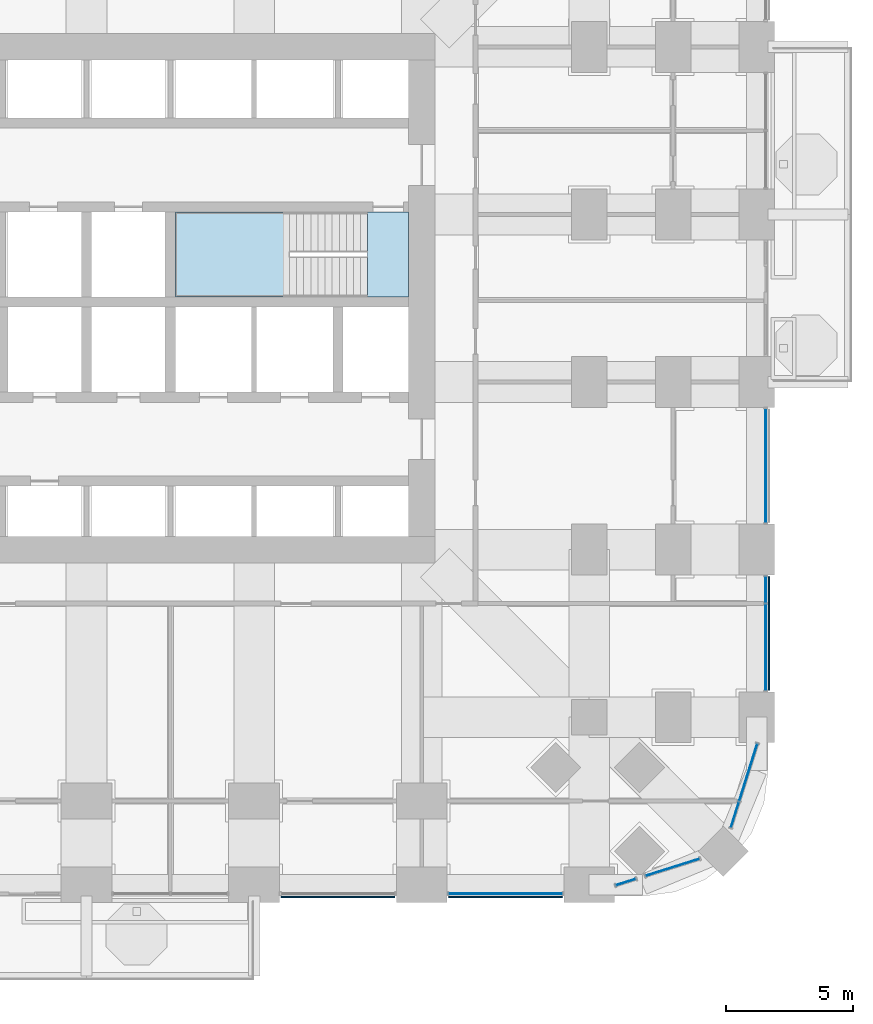
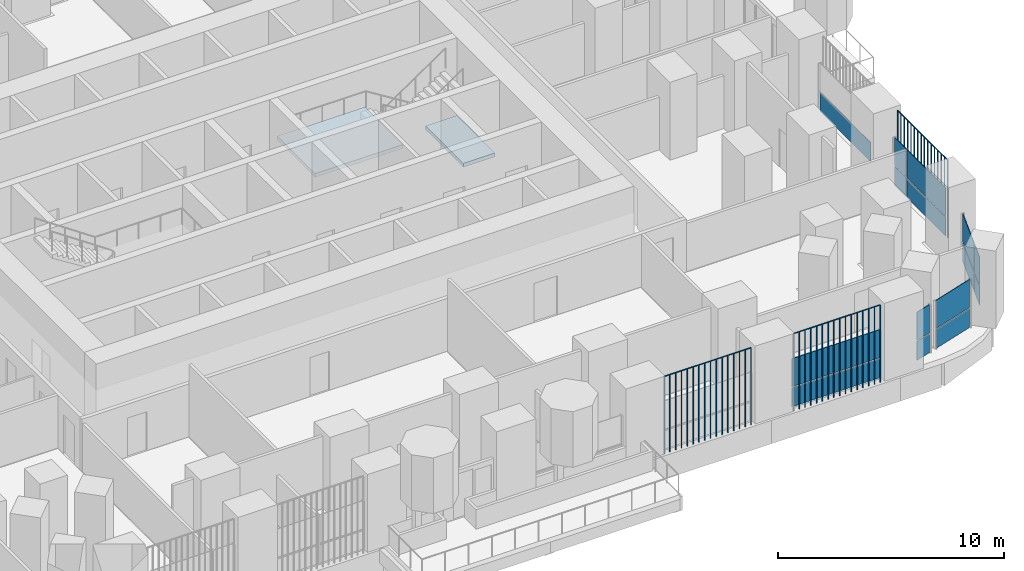
# One storey, part 12 of 25: 18 plates, 2 slabs, 7 elements without a shape of their own.
"""IFC4 building model written with IfcOpenShell, lengths in metres."""

from ifc_helpers import new_model, si_unit, direction, frame, origin, origin_2d, place, context, subcontext, project, spatial, polyline, rectangle, outline, extrude, material, layer, layer_set, type_object, element, aggregate, save


model = new_model("IFC4")

# Units and contexts
model_context = context("Model", 3, precision=1e-05, world=origin(), true_north=direction((0.0, 1.0)))
body_context = subcontext(model_context, "Body", "Model", "MODEL_VIEW")
ifc_project = project(units=[si_unit("LENGTHUNIT", "METRE"), si_unit("AREAUNIT", "SQUARE_METRE"), si_unit("VOLUMEUNIT", "CUBIC_METRE"), si_unit("PLANEANGLEUNIT", "RADIAN"), si_unit("MASSUNIT", "GRAM", prefix="KILO")], contexts=[model_context])

# Site, building, storey
site_placement = place(None, origin())
site = spatial("IfcSite", under=ifc_project, at=site_placement, CompositionType="ELEMENT")
building_placement = place(site_placement, origin())
building = spatial("IfcBuilding", under=site, at=building_placement, Name="Cobogo Forest Laboratory Tower", CompositionType="ELEMENT")
storey_placement = place(building_placement, frame((0.0, 0.0, 67.5)))
storey = spatial("IfcBuildingStorey", under=building, at=storey_placement, Name="L15", CompositionType="ELEMENT", Elevation=67.5)

# Curtain wall, plates
ifc_material_1 = material(Name="Aluminium curtain wall", Category="aluminium")
curtain_wall_type = type_object("IfcCurtainWallType", Name="CW-1 unitised curtain wall, clear glazing, laboratory floors zones A and B", PredefinedType="USERDEFINED", material=ifc_material_1)
curtain_wall_1_placement = place(storey_placement, origin())
curtain_wall_1 = element("IfcCurtainWall", 1, at=curtain_wall_1_placement, inside=storey, type_object=curtain_wall_type, Name="Curtain wall 06 L15", ObjectType="UNITISED CURTAIN WALL", PredefinedType="USERDEFINED")
ifc_material_2 = material(Name="Clear insulated glass", Category="glass")
ifc_layer_1 = layer(ifc_material_2, 0.028076171875)
ifc_layer_set_1 = layer_set([ifc_layer_1], Name="GP-1 clear insulated glass unit 28")
plate_type_1 = type_object("IfcPlateType", Name="GP-1 clear insulated glass unit 28", PredefinedType="CURTAIN_PANEL", material=ifc_layer_set_1)
plate_1_placement = place(storey_placement, frame((42.89990234375, -0.35009765625, 0.0), z_axis=(0.0, 0.0, 1.0), x_axis=(1.0, 0.0, 0.0)))
plate_1 = element("IfcPlate", 2, at=plate_1_placement, type_object=plate_type_1, Name="CW-1 panel 1.1", PredefinedType="CURTAIN_PANEL", context=body_context, shape_type="SweptSolid", body=[
    extrude(rectangle(XDim=4.47998046875, YDim=0.028076171875, at=origin_2d()), origin(), (0.0, 0.0, 1.0), 1.02001953125),
])
plate_2_placement = place(storey_placement, frame((42.89990234375, -0.35009765625, 1.080078125), z_axis=(0.0, 0.0, 1.0), x_axis=(1.0, 0.0, 0.0)))
plate_2 = element("IfcPlate", 3, at=plate_2_placement, type_object=plate_type_1, Name="CW-1 panel 1.2", PredefinedType="CURTAIN_PANEL", context=body_context, shape_type="SweptSolid", body=[
    extrude(rectangle(XDim=4.47998046875, YDim=0.028076171875, at=origin_2d()), origin(), (0.0, 0.0, 1.0), 1.52001953125),
])
aggregate(curtain_wall_1, [plate_1, plate_2])

curtain_wall_2_placement = place(storey_placement, origin())
curtain_wall_2 = element("IfcCurtainWall", 4, at=curtain_wall_2_placement, inside=storey, type_object=curtain_wall_type, Name="Curtain wall 07 L15", ObjectType="UNITISED CURTAIN WALL", PredefinedType="USERDEFINED")
plate_3_placement = place(storey_placement, frame((47.640869140625, 0.10498046875, 0.0), z_axis=(0.0, 0.0, 1.0), x_axis=(0.953581406818, 0.301135352577, 0.0)))
plate_3 = element("IfcPlate", 5, at=plate_3_placement, type_object=plate_type_1, Name="CW-1 panel 1.1", PredefinedType="CURTAIN_PANEL", context=body_context, shape_type="SweptSolid", body=[
    extrude(rectangle(XDim=0.804931640625, YDim=0.028076171875, at=origin_2d()), origin(), (0.0, 0.0, 1.0), 1.02001953125),
])
plate_4_placement = place(storey_placement, frame((47.640869140625, 0.10498046875, 1.080078125), z_axis=(0.0, 0.0, 1.0), x_axis=(0.953581406818, 0.301135352577, 0.0)))
plate_4 = element("IfcPlate", 6, at=plate_4_placement, type_object=plate_type_1, Name="CW-1 panel 1.2", PredefinedType="CURTAIN_PANEL", context=body_context, shape_type="SweptSolid", body=[
    extrude(rectangle(XDim=0.804931640625, YDim=0.028076171875, at=origin_2d()), origin(), (0.0, 0.0, 1.0), 1.52001953125),
])
aggregate(curtain_wall_2, [plate_3, plate_4])

curtain_wall_3_placement = place(storey_placement, origin())
curtain_wall_3 = element("IfcCurtainWall", 7, at=curtain_wall_3_placement, inside=storey, type_object=curtain_wall_type, Name="Curtain wall 08 L15", ObjectType="UNITISED CURTAIN WALL", PredefinedType="USERDEFINED")
plate_5_placement = place(storey_placement, frame((49.482177734375, 0.6865234375, 0.0), z_axis=(0.0, 0.0, 1.0), x_axis=(0.953581409645, 0.301135343623, 0.0)))
plate_5 = element("IfcPlate", 8, at=plate_5_placement, type_object=plate_type_1, Name="CW-1 panel 1.1", PredefinedType="CURTAIN_PANEL", context=body_context, shape_type="SweptSolid", body=[
    extrude(rectangle(XDim=2.203369140625, YDim=0.028076171875, at=origin_2d()), origin(), (0.0, 0.0, 1.0), 1.02001953125),
])
plate_6_placement = place(storey_placement, frame((49.482177734375, 0.6865234375, 1.080078125), z_axis=(0.0, 0.0, 1.0), x_axis=(0.953581409645, 0.301135343623, 0.0)))
plate_6 = element("IfcPlate", 9, at=plate_6_placement, type_object=plate_type_1, Name="CW-1 panel 1.2", PredefinedType="CURTAIN_PANEL", context=body_context, shape_type="SweptSolid", body=[
    extrude(rectangle(XDim=2.203369140625, YDim=0.028076171875, at=origin_2d()), origin(), (0.0, 0.0, 1.0), 1.52001953125),
])
aggregate(curtain_wall_3, [plate_5, plate_6])

curtain_wall_4_placement = place(storey_placement, origin())
curtain_wall_4 = element("IfcCurtainWall", 10, at=curtain_wall_4_placement, inside=storey, type_object=curtain_wall_type, Name="Curtain wall 09 L15", ObjectType="UNITISED CURTAIN WALL", PredefinedType="USERDEFINED")
plate_7_placement = place(storey_placement, frame((51.9365234375, 2.75732421875, 0.0), z_axis=(0.0, 0.0, 1.0), x_axis=(0.301135433696, 0.953581381201, 0.0)))
plate_7 = element("IfcPlate", 11, at=plate_7_placement, type_object=plate_type_1, Name="CW-1 panel 1.1", PredefinedType="CURTAIN_PANEL", context=body_context, shape_type="SweptSolid", body=[
    extrude(rectangle(XDim=1.027587890625, YDim=0.028076171875, at=origin_2d()), origin(), (0.0, 0.0, 1.0), 1.02001953125),
])
plate_8_placement = place(storey_placement, frame((51.9365234375, 2.75732421875, 1.080078125), z_axis=(0.0, 0.0, 1.0), x_axis=(0.301135433696, 0.953581381201, 0.0)))
plate_8 = element("IfcPlate", 12, at=plate_8_placement, type_object=plate_type_1, Name="CW-1 panel 1.2", PredefinedType="CURTAIN_PANEL", context=body_context, shape_type="SweptSolid", body=[
    extrude(rectangle(XDim=1.027587890625, YDim=0.028076171875, at=origin_2d()), origin(), (0.0, 0.0, 1.0), 1.52001953125),
])
plate_9_placement = place(storey_placement, frame((52.462646484375, 4.423583984375, 0.0), z_axis=(0.0, 0.0, 1.0), x_axis=(0.301135433696, 0.953581381201, 0.0)))
plate_9 = element("IfcPlate", 13, at=plate_9_placement, type_object=plate_type_1, Name="CW-1 panel 2.1", PredefinedType="CURTAIN_PANEL", context=body_context, shape_type="SweptSolid", body=[
    extrude(rectangle(XDim=2.34716796875, YDim=0.028076171875, at=origin_2d()), origin(), (0.0, 0.0, 1.0), 1.02001953125),
])
plate_10_placement = place(storey_placement, frame((52.462646484375, 4.423583984375, 1.080078125), z_axis=(0.0, 0.0, 1.0), x_axis=(0.301135433696, 0.953581381201, 0.0)))
plate_10 = element("IfcPlate", 14, at=plate_10_placement, type_object=plate_type_1, Name="CW-1 panel 2.2", PredefinedType="CURTAIN_PANEL", context=body_context, shape_type="SweptSolid", body=[
    extrude(rectangle(XDim=2.34716796875, YDim=0.028076171875, at=origin_2d()), origin(), (0.0, 0.0, 1.0), 1.52001953125),
])
aggregate(curtain_wall_4, [plate_7, plate_8, plate_9, plate_10])

curtain_wall_5_placement = place(storey_placement, origin())
curtain_wall_5 = element("IfcCurtainWall", 15, at=curtain_wall_5_placement, inside=storey, type_object=curtain_wall_type, Name="Curtain wall 10 L15", ObjectType="UNITISED CURTAIN WALL", PredefinedType="USERDEFINED")
plate_11_placement = place(storey_placement, frame((53.14990234375, 9.3525390625, 0.0), z_axis=(0.0, 0.0, 1.0), x_axis=(0.0, 1.0, 0.0)))
plate_11 = element("IfcPlate", 16, at=plate_11_placement, type_object=plate_type_1, Name="CW-1 panel 1.1", PredefinedType="CURTAIN_PANEL", context=body_context, shape_type="SweptSolid", body=[
    extrude(rectangle(XDim=3.385009765625, YDim=0.028076171875, at=origin_2d()), origin(), (0.0, 0.0, 1.0), 1.02001953125),
])
plate_12_placement = place(storey_placement, frame((53.14990234375, 9.3525390625, 1.080078125), z_axis=(0.0, 0.0, 1.0), x_axis=(0.0, 1.0, 0.0)))
plate_12 = element("IfcPlate", 17, at=plate_12_placement, type_object=plate_type_1, Name="CW-1 panel 1.2", PredefinedType="CURTAIN_PANEL", context=body_context, shape_type="SweptSolid", body=[
    extrude(rectangle(XDim=3.385009765625, YDim=0.028076171875, at=origin_2d()), origin(), (0.0, 0.0, 1.0), 1.52001953125),
])
plate_13_placement = place(storey_placement, frame((53.14990234375, 11.62255859375, 0.0), z_axis=(0.0, 0.0, 1.0), x_axis=(0.0, 1.0, 0.0)))
plate_13 = element("IfcPlate", 18, at=plate_13_placement, type_object=plate_type_1, Name="CW-1 panel 2.1", PredefinedType="CURTAIN_PANEL", context=body_context, shape_type="SweptSolid", body=[
    extrude(rectangle(XDim=1.034912109375, YDim=0.028076171875, at=origin_2d()), origin(), (0.0, 0.0, 1.0), 1.02001953125),
])
plate_14_placement = place(storey_placement, frame((53.14990234375, 11.62255859375, 1.080078125), z_axis=(0.0, 0.0, 1.0), x_axis=(0.0, 1.0, 0.0)))
plate_14 = element("IfcPlate", 19, at=plate_14_placement, type_object=plate_type_1, Name="CW-1 panel 2.2", PredefinedType="CURTAIN_PANEL", context=body_context, shape_type="SweptSolid", body=[
    extrude(rectangle(XDim=1.034912109375, YDim=0.028076171875, at=origin_2d()), origin(), (0.0, 0.0, 1.0), 1.52001953125),
])
aggregate(curtain_wall_5, [plate_11, plate_12, plate_13, plate_14])

# Curtain wall, plate
curtain_wall_6_placement = place(storey_placement, origin())
curtain_wall_6 = element("IfcCurtainWall", 20, at=curtain_wall_6_placement, inside=storey, type_object=curtain_wall_type, Name="Curtain wall 11 L15", ObjectType="UNITISED CURTAIN WALL", PredefinedType="USERDEFINED")
plate_15_placement = place(storey_placement, frame((53.14990234375, 16.5, 0.0), z_axis=(0.0, 0.0, 1.0), x_axis=(0.0, 1.0, 0.0)))
plate_15 = element("IfcPlate", 21, at=plate_15_placement, type_object=plate_type_1, Name="CW-1 panel 1.1", PredefinedType="CURTAIN_PANEL", context=body_context, shape_type="SweptSolid", body=[
    extrude(rectangle(XDim=4.47998046875, YDim=0.028076171875, at=origin_2d()), origin(), (0.0, 0.0, 1.0), 1.02001953125),
])
aggregate(curtain_wall_6, [plate_15])

# Stair, slabs
ifc_material_3 = material(Name="Precast concrete HA-40 (C40/50)", Category="concrete")
stair_type = type_object("IfcStairType", Name="ST24 exit stair 24 risers", PredefinedType="HALF_TURN_STAIR", material=ifc_material_3)
stair_placement = place(storey_placement, origin())
stair = element("IfcStair", 22, at=stair_placement, inside=storey, type_object=stair_type, Name="Stair 2 L15 to L16", PredefinedType="HALF_TURN_STAIR")
ifc_material_4 = material(Name="Concrete HA-40 (C40/50)", Category="concrete")
ifc_layer_2 = layer(ifc_material_4, 0.199951171875)
ifc_layer_set_2 = layer_set([ifc_layer_2], Name="SL stair landing 200")
slab_type = type_object("IfcSlabType", Name="SL stair landing 200", PredefinedType="LANDING", material=ifc_layer_set_2)
slab_1_placement = place(storey_placement, frame((0.0, 0.0, -0.199951171875)))
slab_1 = element("IfcSlab", 23, at=slab_1_placement, type_object=slab_type, Name="ST2 landing 1", PredefinedType="LANDING", context=body_context, shape_type="SweptSolid", body=[
    extrude(outline(polyline([(37.472900390625, 23.14990234375), (39.074951171875, 23.14990234375), (39.074951171875, 26.5), (37.472900390625, 26.5), (37.472900390625, 23.14990234375)])), origin(), (0.0, 0.0, 1.0), 0.199951171875),
])
slab_2_placement = place(storey_placement, frame((0.0, 0.0, 1.89990234375)))
slab_2 = element("IfcSlab", 24, at=slab_2_placement, type_object=slab_type, Name="ST2 landing 2", PredefinedType="LANDING", context=body_context, shape_type="SweptSolid", body=[
    extrude(outline(polyline([(29.89990234375, 23.14990234375), (34.39697265625, 23.14990234375), (34.39697265625, 26.5), (29.89990234375, 26.5), (29.89990234375, 23.14990234375)])), origin(), (0.0, 0.0, 1.0), 0.2001953125),
])
aggregate(stair, [slab_1, slab_2])

# Plates
ifc_material_5 = material(Name="Terracotta", Category="masonry")
plate_type_2 = type_object("IfcPlateType", Name="TB1 terracotta baguette screen", PredefinedType="USERDEFINED", material=ifc_material_5)
plate_16_placement = place(storey_placement, frame((34.081298828125, -0.477783203125, -0.14990234375)))
element("IfcPlate", 25, at=plate_16_placement, inside=storey, type_object=plate_type_2, Name="Baguette screen S5 L15", ObjectType="BAGUETTE SCREEN", PredefinedType="USERDEFINED", context=body_context, shape_type="SweptSolid", body=[
    extrude(outline(polyline([(0.02880859375, 0.011962890625), (0.011962890625, 0.02880859375), (-0.011962890625, 0.02880859375), (-0.02880859375, 0.011962890625), (-0.02880859375, -0.011962890625), (-0.011962890625, -0.02880859375), (0.011962890625, -0.02880859375), (0.02880859375, -0.011962890625), (0.02880859375, 0.011962890625)])), frame((0.0, 0.0, 4.168701171875), z_axis=(1.0, 0.0, 0.0), x_axis=(0.0, 1.0, 0.0)), (0.0, 0.0, 1.0), 4.4375),
    extrude(outline(polyline([(0.02880859375, 0.011962890625), (0.011962890625, 0.02880859375), (-0.011962890625, 0.02880859375), (-0.02880859375, 0.011962890625), (-0.02880859375, -0.011962890625), (-0.011962890625, -0.02880859375), (0.011962890625, -0.02880859375), (0.02880859375, -0.011962890625), (0.02880859375, 0.011962890625)])), origin(), (0.0, 0.0, 1.0), 4.137451171875),
    extrude(outline(polyline([(0.02880859375, 0.011962890625), (0.011962890625, 0.02880859375), (-0.011962890625, 0.02880859375), (-0.02880859375, 0.011962890625), (-0.02880859375, -0.011962890625), (-0.011962890625, -0.02880859375), (0.011962890625, -0.02880859375), (0.02880859375, -0.011962890625), (0.02880859375, 0.011962890625)])), frame((0.2958984375, 0.0, 0.0)), (0.0, 0.0, 1.0), 4.137451171875),
    extrude(outline(polyline([(0.02880859375, 0.011962890625), (0.011962890625, 0.02880859375), (-0.011962890625, 0.02880859375), (-0.02880859375, 0.011962890625), (-0.02880859375, -0.011962890625), (-0.011962890625, -0.02880859375), (0.011962890625, -0.02880859375), (0.02880859375, -0.011962890625), (0.02880859375, 0.011962890625)])), frame((0.591552734375, 0.0, 0.0)), (0.0, 0.0, 1.0), 4.137451171875),
    extrude(outline(polyline([(0.02880859375, 0.011962890625), (0.011962890625, 0.02880859375), (-0.011962890625, 0.02880859375), (-0.02880859375, 0.011962890625), (-0.02880859375, -0.011962890625), (-0.011962890625, -0.02880859375), (0.011962890625, -0.02880859375), (0.02880859375, -0.011962890625), (0.02880859375, 0.011962890625)])), frame((0.887451171875, 0.0, 0.0)), (0.0, 0.0, 1.0), 4.137451171875),
    extrude(outline(polyline([(0.02880859375, 0.011962890625), (0.011962890625, 0.02880859375), (-0.011962890625, 0.02880859375), (-0.02880859375, 0.011962890625), (-0.02880859375, -0.011962890625), (-0.011962890625, -0.02880859375), (0.011962890625, -0.02880859375), (0.02880859375, -0.011962890625), (0.02880859375, 0.011962890625)])), frame((1.183349609375, 0.0, 0.0)), (0.0, 0.0, 1.0), 4.137451171875),
    extrude(outline(polyline([(0.02880859375, 0.011962890625), (0.011962890625, 0.02880859375), (-0.011962890625, 0.02880859375), (-0.02880859375, 0.011962890625), (-0.02880859375, -0.011962890625), (-0.011962890625, -0.02880859375), (0.011962890625, -0.02880859375), (0.02880859375, -0.011962890625), (0.02880859375, 0.011962890625)])), frame((1.479248046875, 0.0, 0.0)), (0.0, 0.0, 1.0), 4.137451171875),
    extrude(outline(polyline([(0.02880859375, 0.011962890625), (0.011962890625, 0.02880859375), (-0.011962890625, 0.02880859375), (-0.02880859375, 0.011962890625), (-0.02880859375, -0.011962890625), (-0.011962890625, -0.02880859375), (0.011962890625, -0.02880859375), (0.02880859375, -0.011962890625), (0.02880859375, 0.011962890625)])), frame((1.77490234375, 0.0, 0.0)), (0.0, 0.0, 1.0), 4.137451171875),
    extrude(outline(polyline([(0.02880859375, 0.011962890625), (0.011962890625, 0.02880859375), (-0.011962890625, 0.02880859375), (-0.02880859375, 0.011962890625), (-0.02880859375, -0.011962890625), (-0.011962890625, -0.02880859375), (0.011962890625, -0.02880859375), (0.02880859375, -0.011962890625), (0.02880859375, 0.011962890625)])), frame((2.07080078125, 0.0, 0.0)), (0.0, 0.0, 1.0), 4.137451171875),
    extrude(outline(polyline([(0.02880859375, 0.011962890625), (0.011962890625, 0.02880859375), (-0.011962890625, 0.02880859375), (-0.02880859375, 0.011962890625), (-0.02880859375, -0.011962890625), (-0.011962890625, -0.02880859375), (0.011962890625, -0.02880859375), (0.02880859375, -0.011962890625), (0.02880859375, 0.011962890625)])), frame((2.36669921875, 0.0, 0.0)), (0.0, 0.0, 1.0), 4.137451171875),
    extrude(outline(polyline([(0.02880859375, 0.011962890625), (0.011962890625, 0.02880859375), (-0.011962890625, 0.02880859375), (-0.02880859375, 0.011962890625), (-0.02880859375, -0.011962890625), (-0.011962890625, -0.02880859375), (0.011962890625, -0.02880859375), (0.02880859375, -0.011962890625), (0.02880859375, 0.011962890625)])), frame((2.66259765625, 0.0, 0.0)), (0.0, 0.0, 1.0), 4.137451171875),
    extrude(outline(polyline([(0.02880859375, 0.011962890625), (0.011962890625, 0.02880859375), (-0.011962890625, 0.02880859375), (-0.02880859375, 0.011962890625), (-0.02880859375, -0.011962890625), (-0.011962890625, -0.02880859375), (0.011962890625, -0.02880859375), (0.02880859375, -0.011962890625), (0.02880859375, 0.011962890625)])), frame((2.958251953125, 0.0, 0.0)), (0.0, 0.0, 1.0), 4.137451171875),
    extrude(outline(polyline([(0.02880859375, 0.011962890625), (0.011962890625, 0.02880859375), (-0.011962890625, 0.02880859375), (-0.02880859375, 0.011962890625), (-0.02880859375, -0.011962890625), (-0.011962890625, -0.02880859375), (0.011962890625, -0.02880859375), (0.02880859375, -0.011962890625), (0.02880859375, 0.011962890625)])), frame((3.254150390625, 0.0, 0.0)), (0.0, 0.0, 1.0), 4.137451171875),
    extrude(outline(polyline([(0.02880859375, 0.011962890625), (0.011962890625, 0.02880859375), (-0.011962890625, 0.02880859375), (-0.02880859375, 0.011962890625), (-0.02880859375, -0.011962890625), (-0.011962890625, -0.02880859375), (0.011962890625, -0.02880859375), (0.02880859375, -0.011962890625), (0.02880859375, 0.011962890625)])), frame((3.550048828125, 0.0, 0.0)), (0.0, 0.0, 1.0), 4.137451171875),
    extrude(outline(polyline([(0.02880859375, 0.011962890625), (0.011962890625, 0.02880859375), (-0.011962890625, 0.02880859375), (-0.02880859375, 0.011962890625), (-0.02880859375, -0.011962890625), (-0.011962890625, -0.02880859375), (0.011962890625, -0.02880859375), (0.02880859375, -0.011962890625), (0.02880859375, 0.011962890625)])), frame((3.845947265625, 0.0, 0.0)), (0.0, 0.0, 1.0), 4.137451171875),
    extrude(outline(polyline([(0.02880859375, 0.011962890625), (0.011962890625, 0.02880859375), (-0.011962890625, 0.02880859375), (-0.02880859375, 0.011962890625), (-0.02880859375, -0.011962890625), (-0.011962890625, -0.02880859375), (0.011962890625, -0.02880859375), (0.02880859375, -0.011962890625), (0.02880859375, 0.011962890625)])), frame((4.1416015625, 0.0, 0.0)), (0.0, 0.0, 1.0), 4.137451171875),
    extrude(outline(polyline([(0.02880859375, 0.011962890625), (0.011962890625, 0.02880859375), (-0.011962890625, 0.02880859375), (-0.02880859375, 0.011962890625), (-0.02880859375, -0.011962890625), (-0.011962890625, -0.02880859375), (0.011962890625, -0.02880859375), (0.02880859375, -0.011962890625), (0.02880859375, 0.011962890625)])), frame((4.4375, 0.0, 0.0)), (0.0, 0.0, 1.0), 4.137451171875),
])
plate_17_placement = place(storey_placement, frame((40.68115234375, -0.477783203125, -0.14990234375)))
element("IfcPlate", 26, at=plate_17_placement, inside=storey, type_object=plate_type_2, Name="Baguette screen S6 L15", ObjectType="BAGUETTE SCREEN", PredefinedType="USERDEFINED", context=body_context, shape_type="SweptSolid", body=[
    extrude(outline(polyline([(0.02880859375, 0.011962890625), (0.011962890625, 0.02880859375), (-0.011962890625, 0.02880859375), (-0.02880859375, 0.011962890625), (-0.02880859375, -0.011962890625), (-0.011962890625, -0.02880859375), (0.011962890625, -0.02880859375), (0.02880859375, -0.011962890625), (0.02880859375, 0.011962890625)])), frame((0.0, 0.0, 4.168701171875), z_axis=(1.0, 0.0, 0.0), x_axis=(0.0, 1.0, 0.0)), (0.0, 0.0, 1.0), 4.4375),
    extrude(outline(polyline([(0.02880859375, 0.011962890625), (0.011962890625, 0.02880859375), (-0.011962890625, 0.02880859375), (-0.02880859375, 0.011962890625), (-0.02880859375, -0.011962890625), (-0.011962890625, -0.02880859375), (0.011962890625, -0.02880859375), (0.02880859375, -0.011962890625), (0.02880859375, 0.011962890625)])), origin(), (0.0, 0.0, 1.0), 4.137451171875),
    extrude(outline(polyline([(0.02880859375, 0.011962890625), (0.011962890625, 0.02880859375), (-0.011962890625, 0.02880859375), (-0.02880859375, 0.011962890625), (-0.02880859375, -0.011962890625), (-0.011962890625, -0.02880859375), (0.011962890625, -0.02880859375), (0.02880859375, -0.011962890625), (0.02880859375, 0.011962890625)])), frame((0.2958984375, 0.0, 0.0)), (0.0, 0.0, 1.0), 4.137451171875),
    extrude(outline(polyline([(0.02880859375, 0.011962890625), (0.011962890625, 0.02880859375), (-0.011962890625, 0.02880859375), (-0.02880859375, 0.011962890625), (-0.02880859375, -0.011962890625), (-0.011962890625, -0.02880859375), (0.011962890625, -0.02880859375), (0.02880859375, -0.011962890625), (0.02880859375, 0.011962890625)])), frame((0.591552734375, 0.0, 0.0)), (0.0, 0.0, 1.0), 4.137451171875),
    extrude(outline(polyline([(0.02880859375, 0.011962890625), (0.011962890625, 0.02880859375), (-0.011962890625, 0.02880859375), (-0.02880859375, 0.011962890625), (-0.02880859375, -0.011962890625), (-0.011962890625, -0.02880859375), (0.011962890625, -0.02880859375), (0.02880859375, -0.011962890625), (0.02880859375, 0.011962890625)])), frame((0.887451171875, 0.0, 0.0)), (0.0, 0.0, 1.0), 4.137451171875),
    extrude(outline(polyline([(0.02880859375, 0.011962890625), (0.011962890625, 0.02880859375), (-0.011962890625, 0.02880859375), (-0.02880859375, 0.011962890625), (-0.02880859375, -0.011962890625), (-0.011962890625, -0.02880859375), (0.011962890625, -0.02880859375), (0.02880859375, -0.011962890625), (0.02880859375, 0.011962890625)])), frame((1.183349609375, 0.0, 0.0)), (0.0, 0.0, 1.0), 4.137451171875),
    extrude(outline(polyline([(0.02880859375, 0.011962890625), (0.011962890625, 0.02880859375), (-0.011962890625, 0.02880859375), (-0.02880859375, 0.011962890625), (-0.02880859375, -0.011962890625), (-0.011962890625, -0.02880859375), (0.011962890625, -0.02880859375), (0.02880859375, -0.011962890625), (0.02880859375, 0.011962890625)])), frame((1.479248046875, 0.0, 0.0)), (0.0, 0.0, 1.0), 4.137451171875),
    extrude(outline(polyline([(0.02880859375, 0.011962890625), (0.011962890625, 0.02880859375), (-0.011962890625, 0.02880859375), (-0.02880859375, 0.011962890625), (-0.02880859375, -0.011962890625), (-0.011962890625, -0.02880859375), (0.011962890625, -0.02880859375), (0.02880859375, -0.011962890625), (0.02880859375, 0.011962890625)])), frame((1.77490234375, 0.0, 0.0)), (0.0, 0.0, 1.0), 4.137451171875),
    extrude(outline(polyline([(0.02880859375, 0.011962890625), (0.011962890625, 0.02880859375), (-0.011962890625, 0.02880859375), (-0.02880859375, 0.011962890625), (-0.02880859375, -0.011962890625), (-0.011962890625, -0.02880859375), (0.011962890625, -0.02880859375), (0.02880859375, -0.011962890625), (0.02880859375, 0.011962890625)])), frame((2.07080078125, 0.0, 0.0)), (0.0, 0.0, 1.0), 4.137451171875),
    extrude(outline(polyline([(0.02880859375, 0.011962890625), (0.011962890625, 0.02880859375), (-0.011962890625, 0.02880859375), (-0.02880859375, 0.011962890625), (-0.02880859375, -0.011962890625), (-0.011962890625, -0.02880859375), (0.011962890625, -0.02880859375), (0.02880859375, -0.011962890625), (0.02880859375, 0.011962890625)])), frame((2.36669921875, 0.0, 0.0)), (0.0, 0.0, 1.0), 4.137451171875),
    extrude(outline(polyline([(0.02880859375, 0.011962890625), (0.011962890625, 0.02880859375), (-0.011962890625, 0.02880859375), (-0.02880859375, 0.011962890625), (-0.02880859375, -0.011962890625), (-0.011962890625, -0.02880859375), (0.011962890625, -0.02880859375), (0.02880859375, -0.011962890625), (0.02880859375, 0.011962890625)])), frame((2.66259765625, 0.0, 0.0)), (0.0, 0.0, 1.0), 4.137451171875),
    extrude(outline(polyline([(0.02880859375, 0.011962890625), (0.011962890625, 0.02880859375), (-0.011962890625, 0.02880859375), (-0.02880859375, 0.011962890625), (-0.02880859375, -0.011962890625), (-0.011962890625, -0.02880859375), (0.011962890625, -0.02880859375), (0.02880859375, -0.011962890625), (0.02880859375, 0.011962890625)])), frame((2.958251953125, 0.0, 0.0)), (0.0, 0.0, 1.0), 4.137451171875),
    extrude(outline(polyline([(0.02880859375, 0.011962890625), (0.011962890625, 0.02880859375), (-0.011962890625, 0.02880859375), (-0.02880859375, 0.011962890625), (-0.02880859375, -0.011962890625), (-0.011962890625, -0.02880859375), (0.011962890625, -0.02880859375), (0.02880859375, -0.011962890625), (0.02880859375, 0.011962890625)])), frame((3.254150390625, 0.0, 0.0)), (0.0, 0.0, 1.0), 4.137451171875),
    extrude(outline(polyline([(0.02880859375, 0.011962890625), (0.011962890625, 0.02880859375), (-0.011962890625, 0.02880859375), (-0.02880859375, 0.011962890625), (-0.02880859375, -0.011962890625), (-0.011962890625, -0.02880859375), (0.011962890625, -0.02880859375), (0.02880859375, -0.011962890625), (0.02880859375, 0.011962890625)])), frame((3.550048828125, 0.0, 0.0)), (0.0, 0.0, 1.0), 4.137451171875),
    extrude(outline(polyline([(0.02880859375, 0.011962890625), (0.011962890625, 0.02880859375), (-0.011962890625, 0.02880859375), (-0.02880859375, 0.011962890625), (-0.02880859375, -0.011962890625), (-0.011962890625, -0.02880859375), (0.011962890625, -0.02880859375), (0.02880859375, -0.011962890625), (0.02880859375, 0.011962890625)])), frame((3.845947265625, 0.0, 0.0)), (0.0, 0.0, 1.0), 4.137451171875),
    extrude(outline(polyline([(0.02880859375, 0.011962890625), (0.011962890625, 0.02880859375), (-0.011962890625, 0.02880859375), (-0.02880859375, 0.011962890625), (-0.02880859375, -0.011962890625), (-0.011962890625, -0.02880859375), (0.011962890625, -0.02880859375), (0.02880859375, -0.011962890625), (0.02880859375, 0.011962890625)])), frame((4.1416015625, 0.0, 0.0)), (0.0, 0.0, 1.0), 4.137451171875),
    extrude(outline(polyline([(0.02880859375, 0.011962890625), (0.011962890625, 0.02880859375), (-0.011962890625, 0.02880859375), (-0.02880859375, 0.011962890625), (-0.02880859375, -0.011962890625), (-0.011962890625, -0.02880859375), (0.011962890625, -0.02880859375), (0.02880859375, -0.011962890625), (0.02880859375, 0.011962890625)])), frame((4.4375, 0.0, 0.0)), (0.0, 0.0, 1.0), 4.137451171875),
])
plate_18_placement = place(storey_placement, frame((53.27783203125, 7.68115234375, -0.14990234375)))
element("IfcPlate", 27, at=plate_18_placement, inside=storey, type_object=plate_type_2, Name="Baguette screen E1 L15", ObjectType="BAGUETTE SCREEN", PredefinedType="USERDEFINED", context=body_context, shape_type="SweptSolid", body=[
    extrude(outline(polyline([(0.02880859375, 0.011962890625), (0.011962890625, 0.02880859375), (-0.011962890625, 0.02880859375), (-0.02880859375, 0.011962890625), (-0.02880859375, -0.011962890625), (-0.011962890625, -0.02880859375), (0.011962890625, -0.02880859375), (0.02880859375, -0.011962890625), (0.02880859375, 0.011962890625)])), frame((0.0, 0.0, 4.168701171875), z_axis=(0.0, 1.0, 0.0), x_axis=(-1.0, 0.0, 0.0)), (0.0, 0.0, 1.0), 4.4375),
    extrude(outline(polyline([(0.02880859375, 0.011962890625), (0.011962890625, 0.02880859375), (-0.011962890625, 0.02880859375), (-0.02880859375, 0.011962890625), (-0.02880859375, -0.011962890625), (-0.011962890625, -0.02880859375), (0.011962890625, -0.02880859375), (0.02880859375, -0.011962890625), (0.02880859375, 0.011962890625)])), origin(), (0.0, 0.0, 1.0), 4.137451171875),
    extrude(outline(polyline([(0.02880859375, 0.011962890625), (0.011962890625, 0.02880859375), (-0.011962890625, 0.02880859375), (-0.02880859375, 0.011962890625), (-0.02880859375, -0.011962890625), (-0.011962890625, -0.02880859375), (0.011962890625, -0.02880859375), (0.02880859375, -0.011962890625), (0.02880859375, 0.011962890625)])), frame((0.0, 0.2958984375, 0.0)), (0.0, 0.0, 1.0), 4.137451171875),
    extrude(outline(polyline([(0.02880859375, 0.011962890625), (0.011962890625, 0.02880859375), (-0.011962890625, 0.02880859375), (-0.02880859375, 0.011962890625), (-0.02880859375, -0.011962890625), (-0.011962890625, -0.02880859375), (0.011962890625, -0.02880859375), (0.02880859375, -0.011962890625), (0.02880859375, 0.011962890625)])), frame((0.0, 0.591552734375, 0.0)), (0.0, 0.0, 1.0), 4.137451171875),
    extrude(outline(polyline([(0.02880859375, 0.011962890625), (0.011962890625, 0.02880859375), (-0.011962890625, 0.02880859375), (-0.02880859375, 0.011962890625), (-0.02880859375, -0.011962890625), (-0.011962890625, -0.02880859375), (0.011962890625, -0.02880859375), (0.02880859375, -0.011962890625), (0.02880859375, 0.011962890625)])), frame((0.0, 0.887451171875, 0.0)), (0.0, 0.0, 1.0), 4.137451171875),
    extrude(outline(polyline([(0.02880859375, 0.011962890625), (0.011962890625, 0.02880859375), (-0.011962890625, 0.02880859375), (-0.02880859375, 0.011962890625), (-0.02880859375, -0.011962890625), (-0.011962890625, -0.02880859375), (0.011962890625, -0.02880859375), (0.02880859375, -0.011962890625), (0.02880859375, 0.011962890625)])), frame((0.0, 1.183349609375, 0.0)), (0.0, 0.0, 1.0), 4.137451171875),
    extrude(outline(polyline([(0.02880859375, 0.011962890625), (0.011962890625, 0.02880859375), (-0.011962890625, 0.02880859375), (-0.02880859375, 0.011962890625), (-0.02880859375, -0.011962890625), (-0.011962890625, -0.02880859375), (0.011962890625, -0.02880859375), (0.02880859375, -0.011962890625), (0.02880859375, 0.011962890625)])), frame((0.0, 1.479248046875, 0.0)), (0.0, 0.0, 1.0), 4.137451171875),
    extrude(outline(polyline([(0.02880859375, 0.011962890625), (0.011962890625, 0.02880859375), (-0.011962890625, 0.02880859375), (-0.02880859375, 0.011962890625), (-0.02880859375, -0.011962890625), (-0.011962890625, -0.02880859375), (0.011962890625, -0.02880859375), (0.02880859375, -0.011962890625), (0.02880859375, 0.011962890625)])), frame((0.0, 1.77490234375, 0.0)), (0.0, 0.0, 1.0), 4.137451171875),
    extrude(outline(polyline([(0.02880859375, 0.011962890625), (0.011962890625, 0.02880859375), (-0.011962890625, 0.02880859375), (-0.02880859375, 0.011962890625), (-0.02880859375, -0.011962890625), (-0.011962890625, -0.02880859375), (0.011962890625, -0.02880859375), (0.02880859375, -0.011962890625), (0.02880859375, 0.011962890625)])), frame((0.0, 2.07080078125, 0.0)), (0.0, 0.0, 1.0), 4.137451171875),
    extrude(outline(polyline([(0.02880859375, 0.011962890625), (0.011962890625, 0.02880859375), (-0.011962890625, 0.02880859375), (-0.02880859375, 0.011962890625), (-0.02880859375, -0.011962890625), (-0.011962890625, -0.02880859375), (0.011962890625, -0.02880859375), (0.02880859375, -0.011962890625), (0.02880859375, 0.011962890625)])), frame((0.0, 2.36669921875, 0.0)), (0.0, 0.0, 1.0), 4.137451171875),
    extrude(outline(polyline([(0.02880859375, 0.011962890625), (0.011962890625, 0.02880859375), (-0.011962890625, 0.02880859375), (-0.02880859375, 0.011962890625), (-0.02880859375, -0.011962890625), (-0.011962890625, -0.02880859375), (0.011962890625, -0.02880859375), (0.02880859375, -0.011962890625), (0.02880859375, 0.011962890625)])), frame((0.0, 2.66259765625, 0.0)), (0.0, 0.0, 1.0), 4.137451171875),
    extrude(outline(polyline([(0.02880859375, 0.011962890625), (0.011962890625, 0.02880859375), (-0.011962890625, 0.02880859375), (-0.02880859375, 0.011962890625), (-0.02880859375, -0.011962890625), (-0.011962890625, -0.02880859375), (0.011962890625, -0.02880859375), (0.02880859375, -0.011962890625), (0.02880859375, 0.011962890625)])), frame((0.0, 2.958251953125, 0.0)), (0.0, 0.0, 1.0), 4.137451171875),
    extrude(outline(polyline([(0.02880859375, 0.011962890625), (0.011962890625, 0.02880859375), (-0.011962890625, 0.02880859375), (-0.02880859375, 0.011962890625), (-0.02880859375, -0.011962890625), (-0.011962890625, -0.02880859375), (0.011962890625, -0.02880859375), (0.02880859375, -0.011962890625), (0.02880859375, 0.011962890625)])), frame((0.0, 3.254150390625, 0.0)), (0.0, 0.0, 1.0), 4.137451171875),
    extrude(outline(polyline([(0.02880859375, 0.011962890625), (0.011962890625, 0.02880859375), (-0.011962890625, 0.02880859375), (-0.02880859375, 0.011962890625), (-0.02880859375, -0.011962890625), (-0.011962890625, -0.02880859375), (0.011962890625, -0.02880859375), (0.02880859375, -0.011962890625), (0.02880859375, 0.011962890625)])), frame((0.0, 3.550048828125, 0.0)), (0.0, 0.0, 1.0), 4.137451171875),
    extrude(outline(polyline([(0.02880859375, 0.011962890625), (0.011962890625, 0.02880859375), (-0.011962890625, 0.02880859375), (-0.02880859375, 0.011962890625), (-0.02880859375, -0.011962890625), (-0.011962890625, -0.02880859375), (0.011962890625, -0.02880859375), (0.02880859375, -0.011962890625), (0.02880859375, 0.011962890625)])), frame((0.0, 3.845947265625, 0.0)), (0.0, 0.0, 1.0), 4.137451171875),
    extrude(outline(polyline([(0.02880859375, 0.011962890625), (0.011962890625, 0.02880859375), (-0.011962890625, 0.02880859375), (-0.02880859375, 0.011962890625), (-0.02880859375, -0.011962890625), (-0.011962890625, -0.02880859375), (0.011962890625, -0.02880859375), (0.02880859375, -0.011962890625), (0.02880859375, 0.011962890625)])), frame((0.0, 4.1416015625, 0.0)), (0.0, 0.0, 1.0), 4.137451171875),
    extrude(outline(polyline([(0.02880859375, 0.011962890625), (0.011962890625, 0.02880859375), (-0.011962890625, 0.02880859375), (-0.02880859375, 0.011962890625), (-0.02880859375, -0.011962890625), (-0.011962890625, -0.02880859375), (0.011962890625, -0.02880859375), (0.02880859375, -0.011962890625), (0.02880859375, 0.011962890625)])), frame((0.0, 4.4375, 0.0)), (0.0, 0.0, 1.0), 4.137451171875),
])

save(model, "model.ifc")
